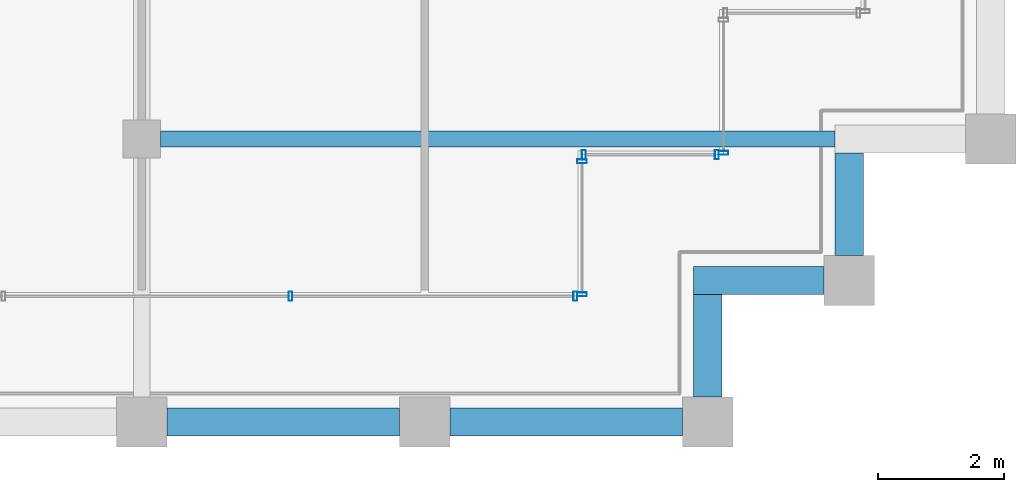
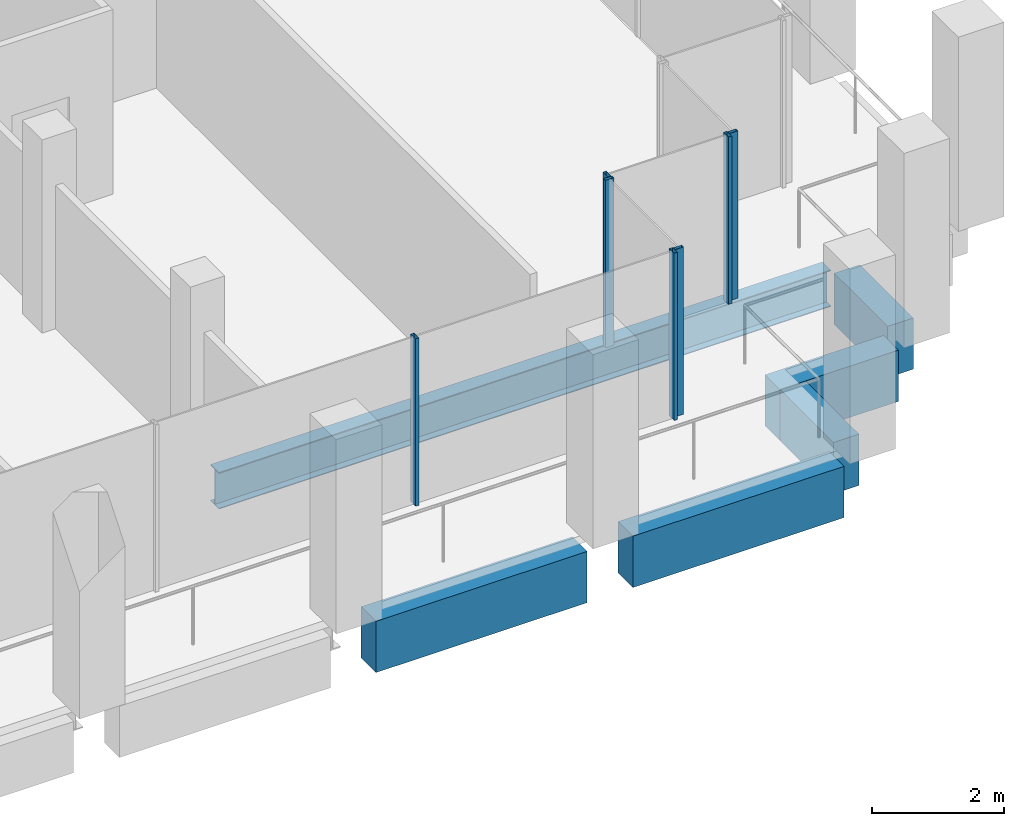
# One storey, part 12 of 30: 7 members, 6 beams, 4 elements without a shape of their own.
"""IFC4 building model written with IfcOpenShell, lengths in metres."""

import ifcopenshell
import ifcopenshell.guid

model = None  # the IFC model being written
_history = None  # IfcOwnerHistory: only IFC2X3 demands one
_inside = {}  # id of a spatial element -> (the spatial element, [elements in it])
_under = {}  # id of a project, library or spatial element -> (it, [spatial elements below it])
_declared = {}  # id of a project -> (the project, [libraries it declares])
_typed = {}  # id of a type object -> (the type object, [elements of that type])
_made_of = {}  # id of a material, layer set ... -> (it, [elements and type objects made of it])


def new_model(schema):
    """Start an empty IFC model of exactly this schema.

    Asked for "IFC4X3", IfcOpenShell would pick the latest addendum, in which some entities
    have other attributes; the version numbers below select the first issue.
    IFC2X3 requires an IfcOwnerHistory on every rooted entity: one is made here for all.
    """
    global model, _history
    if schema == "IFC4X3":
        model = ifcopenshell.file(schema_version=(4, 3, 0, 0))
    else:
        model = ifcopenshell.file(schema=schema)
    _inside.clear()
    _under.clear()
    _declared.clear()
    _typed.clear()
    _made_of.clear()
    _history = None
    if model.schema == "IFC2X3":
        org = make("IfcOrganization", Name="unknown")
        user = make(
            "IfcPersonAndOrganization",
            ThePerson=make("IfcPerson", FamilyName="unknown"),
            TheOrganization=org,
        )
        app = make(
            "IfcApplication",
            ApplicationDeveloper=org,
            Version="unknown",
            ApplicationFullName="unknown",
            ApplicationIdentifier="unknown",
        )
        _history = make(
            "IfcOwnerHistory",
            OwningUser=user,
            OwningApplication=app,
            ChangeAction="ADDED",
            CreationDate=0,
        )
    return model


def make(cls, **values):
    """One entity of the class cls with the attributes given. An attribute that is None is left unset."""
    return model.create_entity(
        cls, **{name: value for name, value in values.items() if value is not None}
    )


def rooted(cls, **values):
    """An entity with a GlobalId (a new one), such as an element, a storey or a relation."""
    return make(cls, GlobalId=ifcopenshell.guid.new(), OwnerHistory=_history, **values)


def si_unit(unit_type, name, prefix=None):
    """IfcSIUnit, for example si_unit("LENGTHUNIT", "METRE", prefix="MILLI")."""
    return make("IfcSIUnit", UnitType=unit_type, Prefix=prefix, Name=name)


def assignment(units):
    """IfcUnitAssignment: the units of a project."""
    return None if units is None else make("IfcUnitAssignment", Units=units)


def point(xyz):
    """IfcCartesianPoint."""
    return None if xyz is None else make("IfcCartesianPoint", Coordinates=xyz)


def direction(xyz):
    """IfcDirection."""
    return None if xyz is None else make("IfcDirection", DirectionRatios=xyz)


def frame(location, z_axis=None, x_axis=None):
    """IfcAxis2Placement3D, a coordinate frame: its origin and axes. An axis left out is left unset."""
    return make(
        "IfcAxis2Placement3D",
        Location=point(location),
        Axis=direction(z_axis),
        RefDirection=direction(x_axis),
    )


def frame_2d(location, x_axis=None):
    """IfcAxis2Placement2D, a coordinate frame in the plane: its origin and x axis."""
    return make(
        "IfcAxis2Placement2D", Location=point(location), RefDirection=direction(x_axis)
    )


def origin():
    """The frame at (0, 0, 0) with its axes left unset."""
    return frame((0.0, 0.0, 0.0))


def origin_2d():
    """The frame at (0, 0) in the plane with its x axis left unset."""
    return frame_2d((0.0, 0.0))


def place(relative_to, where):
    """IfcLocalPlacement: puts the frame where relative to a parent placement (None: the world)."""
    return make(
        "IfcLocalPlacement", PlacementRelTo=relative_to, RelativePlacement=where
    )


def context(
    kind, dimensions, precision=None, world=None, true_north=None, identifier=None
):
    """IfcGeometricRepresentationContext, for example the 3D "Model" context."""
    return make(
        "IfcGeometricRepresentationContext",
        ContextIdentifier=identifier,
        ContextType=kind,
        CoordinateSpaceDimension=dimensions,
        Precision=precision,
        WorldCoordinateSystem=world,
        TrueNorth=true_north,
    )


def subcontext(parent, identifier, kind, view, scale=None):
    """IfcGeometricRepresentationSubContext, for example "Body" below "Model"."""
    return make(
        "IfcGeometricRepresentationSubContext",
        ContextIdentifier=identifier,
        ContextType=kind,
        ParentContext=parent,
        TargetScale=scale,
        TargetView=view,
    )


def project(units=None, contexts=None):
    """IfcProject with its units and contexts."""
    return rooted(
        "IfcProject",
        Name="project",
        RepresentationContexts=contexts,
        UnitsInContext=assignment(units),
    )


def spatial(cls, under=None, at=None, **own):
    """A site, building, storey or space (cls), placed at a placement, below another one or the project."""
    s = rooted(cls, ObjectPlacement=at, **own)
    if under is not None:
        _under.setdefault(under.id(), (under, []))[1].append(s)
    return s


def profile(cls, at=None, kind="AREA", **sizes):
    """A parametric profile (cls). Its sizes go by their IFC names, for example OverallWidth=200.0."""
    return make(cls, ProfileType=kind, Position=at, **sizes)


def rectangle(**sizes):
    """IfcRectangleProfileDef."""
    return profile("IfcRectangleProfileDef", **sizes)


def hollow_rectangle(**sizes):
    """IfcRectangleHollowProfileDef."""
    return profile("IfcRectangleHollowProfileDef", **sizes)


def i_section(**sizes):
    """IfcIShapeProfileDef."""
    return profile("IfcIShapeProfileDef", **sizes)


def extrude(swept, where, along, depth):
    """IfcExtrudedAreaSolid: the profile swept, set in the frame where, extruded along a direction by depth."""
    return make(
        "IfcExtrudedAreaSolid",
        SweptArea=swept,
        Position=where,
        ExtrudedDirection=direction(along),
        Depth=depth,
    )


def shape(context_of_items, identifier, shape_type, items):
    """IfcShapeRepresentation: the items that make up one representation, for example the "Body"."""
    return make(
        "IfcShapeRepresentation",
        ContextOfItems=context_of_items,
        RepresentationIdentifier=identifier,
        RepresentationType=shape_type,
        Items=items,
    )


def material(Name=None, Category=None):
    """IfcMaterial."""
    return make("IfcMaterial", Name=Name, Category=Category)


def material_profile(
    of_material, cross_section, Name=None, Category=None, Priority=None
):
    """IfcMaterialProfile: a cross section and its material."""
    return make(
        "IfcMaterialProfile",
        Name=Name,
        Material=of_material,
        Profile=cross_section,
        Priority=Priority,
        Category=Category,
    )


def profile_set(profiles, Name=None, composite=None):
    """IfcMaterialProfileSet."""
    return make(
        "IfcMaterialProfileSet",
        Name=Name,
        MaterialProfiles=profiles,
        CompositeProfile=composite,
    )


def made_of(thing, what):
    """Note that an element or type object is made of a material, layer set ...; save() writes the relation."""
    if what is not None:
        _made_of.setdefault(what.id(), (what, []))[1].append(thing)
    return thing


def type_object(cls, material=None, **own):
    """A type object (cls), such as IfcWallType, which elements share."""
    return made_of(rooted(cls, **own), material)


def element(
    cls,
    number,
    at=None,
    inside=None,
    cuts=None,
    type_object=None,
    material=None,
    context=None,
    identifier="Body",
    shape_type=None,
    held_by="IfcProductDefinitionShape",
    body=None,
    shapes=None,
    **own,
):
    """One element of the class cls, such as IfcWall. Its Tag is "e" and its number.

    at: its placement. inside: the storey or other place that contains it. cuts: it is an
    opening in that element (IfcRelVoidsElement). A single representation is given by context,
    identifier, shape_type and body (its items); several are given by shapes. held_by: the class
    of the entity that holds the representations. save() writes the other relations.
    """
    e = rooted(cls, Tag="e%d" % number, ObjectPlacement=at, **own)
    if body is not None:
        shapes = [shape(context, identifier, shape_type, body)]
    if shapes is not None:
        e.Representation = make(held_by, Representations=shapes)
    if inside is not None:
        _inside.setdefault(inside.id(), (inside, []))[1].append(e)
    if cuts is not None:
        rooted(
            "IfcRelVoidsElement", RelatingBuildingElement=cuts, RelatedOpeningElement=e
        )
    if type_object is not None:
        _typed.setdefault(type_object.id(), (type_object, []))[1].append(e)
    return made_of(e, material)


def aggregate(whole, parts):
    """IfcRelAggregates: a whole, such as a stair, and the parts it consists of."""
    return rooted("IfcRelAggregates", RelatingObject=whole, RelatedObjects=parts)


def save(model, path):
    """Write the relations noted so far, then the file.

    IfcRelAggregates (storeys below a building ...), IfcRelContainedInSpatialStructure (elements
    in a storey), IfcRelDefinesByType, IfcRelAssociatesMaterial and IfcRelDeclares: one each for
    every whole, place, type object, material and project.
    """
    for whole, parts in _under.values():
        aggregate(whole, parts)
    for where, things in _inside.values():
        rooted(
            "IfcRelContainedInSpatialStructure",
            RelatedElements=things,
            RelatingStructure=where,
        )
    for kind, things in _typed.values():
        rooted("IfcRelDefinesByType", RelatedObjects=things, RelatingType=kind)
    for what, things in _made_of.values():
        rooted("IfcRelAssociatesMaterial", RelatedObjects=things, RelatingMaterial=what)
    for by, libraries in _declared.values():
        rooted("IfcRelDeclares", RelatingContext=by, RelatedDefinitions=libraries)
    model.write(path)


model = new_model("IFC4")

# Units and contexts
model_context = context("Model", 3, precision=1e-05, world=origin(), true_north=direction((0.0, 1.0)))
body_context = subcontext(model_context, "Body", "Model", "MODEL_VIEW")
ifc_project = project(units=[si_unit("LENGTHUNIT", "METRE"), si_unit("AREAUNIT", "SQUARE_METRE"), si_unit("VOLUMEUNIT", "CUBIC_METRE"), si_unit("PLANEANGLEUNIT", "RADIAN"), si_unit("MASSUNIT", "GRAM", prefix="KILO")], contexts=[model_context])

# Site, building, storey
site_placement = place(None, origin())
site = spatial("IfcSite", under=ifc_project, at=site_placement, CompositionType="ELEMENT")
building_placement = place(site_placement, origin())
building = spatial("IfcBuilding", under=site, at=building_placement, Name="Altepetl Exchange Towers", CompositionType="ELEMENT")
storey_placement = place(building_placement, frame((0.0, 0.0, 224.39990234375)))
storey = spatial("IfcBuildingStorey", under=building, at=storey_placement, Name="L57", CompositionType="ELEMENT", Elevation=224.39990234375)

# Beam
ifc_material_1 = material(Name="Steel S355", Category="steel")
ifc_material_profile_1 = material_profile(ifc_material_1, i_section(OverallWidth=0.2529296875, OverallDepth=0.677978515625, WebThickness=0.01171875, FlangeThickness=0.016357421875, at=origin_2d()), Name="W27X84")
ifc_profile_set_1 = profile_set([ifc_material_profile_1], Name="Steel S355")
beam_type_1 = type_object("IfcBeamType", Name="Floor beam W27X84", PredefinedType="BEAM", material=ifc_profile_set_1)
beam_1_placement = place(storey_placement, frame((58.800048828125, 31.5, -0.489013671875), z_axis=(1.0, 0.0, 0.0), x_axis=(0.0, 1.0, 0.0)))
element("IfcBeam", 1, at=beam_1_placement, inside=storey, type_object=beam_type_1, Name="bm:A:L57:006", PredefinedType="BEAM", context=body_context, shape_type="SweptSolid", body=[
    extrude(i_section(OverallWidth=0.2529296875, OverallDepth=0.677978515625, WebThickness=0.01171875, FlangeThickness=0.016357421875, at=origin_2d()), origin(), (0.0, 0.0, 1.0), 10.724853515625),
])

# Curtain wall, members
ifc_material_2 = material(Name="Aluminium 6063-T6 glazing", Category="aluminium")
curtain_wall_type = type_object("IfcCurtainWallType", Name="Loggia glazing system", PredefinedType="NOTDEFINED", material=ifc_material_2)
curtain_wall_1_placement = place(storey_placement, origin())
curtain_wall_1 = element("IfcCurtainWall", 2, at=curtain_wall_1_placement, inside=storey, type_object=curtain_wall_type, Name="CW1 run", PredefinedType="NOTDEFINED")
ifc_material_3 = material(Name="Aluminium 6063-T6", Category="aluminium")
ifc_material_profile_2 = material_profile(ifc_material_3, hollow_rectangle(XDim=0.06005859375, YDim=0.14990234375, WallThickness=0.0029296875, at=origin_2d()), Name="Mullion 60x150 aluminium")
ifc_profile_set_2 = profile_set([ifc_material_profile_2], Name="Aluminium 6063-T6")
member_type = type_object("IfcMemberType", Name="Mullion 60x150 aluminium", PredefinedType="MULLION", material=ifc_profile_set_2)
member_1_placement = place(storey_placement, frame((60.8642578125, 29.0, 0.0)))
member_1 = element("IfcMember", 3, at=member_1_placement, type_object=member_type, Name="MU1 mullion", PredefinedType="MULLION", context=body_context, shape_type="SweptSolid", body=[
    extrude(hollow_rectangle(XDim=0.06005859375, YDim=0.14990234375, WallThickness=0.0029296875, at=origin_2d()), origin(), (0.0, 0.0, 1.0), 3.10009765625),
])
member_2_placement = place(storey_placement, frame((65.39501953125, 29.0, 0.0)))
member_2 = element("IfcMember", 4, at=member_2_placement, type_object=member_type, Name="MU1 mullion", PredefinedType="MULLION", context=body_context, shape_type="SweptSolid", body=[
    extrude(hollow_rectangle(XDim=0.06005859375, YDim=0.14990234375, WallThickness=0.0029296875, at=origin_2d()), origin(), (0.0, 0.0, 1.0), 3.10009765625),
])
aggregate(curtain_wall_1, [member_1, member_2])

curtain_wall_2_placement = place(storey_placement, origin())
curtain_wall_2 = element("IfcCurtainWall", 5, at=curtain_wall_2_placement, inside=storey, type_object=curtain_wall_type, Name="CW1 run", PredefinedType="NOTDEFINED")
member_3_placement = place(storey_placement, frame((65.5, 29.030029296875, 0.0), z_axis=(0.0, 0.0, 1.0), x_axis=(0.0, 1.0, 0.0)))
member_3 = element("IfcMember", 6, at=member_3_placement, type_object=member_type, Name="MU1 mullion", PredefinedType="MULLION", context=body_context, shape_type="SweptSolid", body=[
    extrude(hollow_rectangle(XDim=0.06005859375, YDim=0.14990234375, WallThickness=0.0029296875, at=origin_2d()), origin(), (0.0, 0.0, 1.0), 3.10009765625),
])
member_4_placement = place(storey_placement, frame((65.5, 31.14501953125, 0.0), z_axis=(0.0, 0.0, 1.0), x_axis=(0.0, 1.0, 0.0)))
member_4 = element("IfcMember", 7, at=member_4_placement, type_object=member_type, Name="MU1 mullion", PredefinedType="MULLION", context=body_context, shape_type="SweptSolid", body=[
    extrude(hollow_rectangle(XDim=0.06005859375, YDim=0.14990234375, WallThickness=0.0029296875, at=origin_2d()), origin(), (0.0, 0.0, 1.0), 3.10009765625),
])
aggregate(curtain_wall_2, [member_3, member_4])

curtain_wall_3_placement = place(storey_placement, origin())
curtain_wall_3 = element("IfcCurtainWall", 8, at=curtain_wall_3_placement, inside=storey, type_object=curtain_wall_type, Name="CW1 run", PredefinedType="NOTDEFINED")
member_5_placement = place(storey_placement, frame((65.530029296875, 31.25, 0.0)))
member_5 = element("IfcMember", 9, at=member_5_placement, type_object=member_type, Name="MU1 mullion", PredefinedType="MULLION", context=body_context, shape_type="SweptSolid", body=[
    extrude(hollow_rectangle(XDim=0.06005859375, YDim=0.14990234375, WallThickness=0.0029296875, at=origin_2d()), origin(), (0.0, 0.0, 1.0), 3.10009765625),
])
member_6_placement = place(storey_placement, frame((67.64501953125, 31.25, 0.0)))
member_6 = element("IfcMember", 10, at=member_6_placement, type_object=member_type, Name="MU1 mullion", PredefinedType="MULLION", context=body_context, shape_type="SweptSolid", body=[
    extrude(hollow_rectangle(XDim=0.06005859375, YDim=0.14990234375, WallThickness=0.0029296875, at=origin_2d()), origin(), (0.0, 0.0, 1.0), 3.10009765625),
])
aggregate(curtain_wall_3, [member_5, member_6])

# Curtain wall, member
curtain_wall_4_placement = place(storey_placement, origin())
curtain_wall_4 = element("IfcCurtainWall", 11, at=curtain_wall_4_placement, inside=storey, type_object=curtain_wall_type, Name="CW1 run", PredefinedType="NOTDEFINED")
member_7_placement = place(storey_placement, frame((67.75, 31.280029296875, 0.0), z_axis=(0.0, 0.0, 1.0), x_axis=(0.0, 1.0, 0.0)))
member_7 = element("IfcMember", 12, at=member_7_placement, type_object=member_type, Name="MU1 mullion", PredefinedType="MULLION", context=body_context, shape_type="SweptSolid", body=[
    extrude(hollow_rectangle(XDim=0.06005859375, YDim=0.14990234375, WallThickness=0.0029296875, at=origin_2d()), origin(), (0.0, 0.0, 1.0), 3.10009765625),
])
aggregate(curtain_wall_4, [member_7])

# Beams
ifc_material_4 = material(Name="Concrete C50/60 precast with cantera amarilla facing", Category="concrete")
ifc_material_profile_3 = material_profile(ifc_material_4, rectangle(XDim=0.449951171875, YDim=0.949951171875, at=origin_2d()), Name="450 x 950")
ifc_profile_set_3 = profile_set([ifc_material_profile_3], Name="Concrete C50/60 precast with cantera amarilla facing")
beam_type_2 = type_object("IfcBeamType", Name="Spandrel beam 450x950 cantera amarilla", PredefinedType="SPANDREL", material=ifc_profile_set_3)
for number, where, z_axis, x_axis, name in (
    (13, (58.89990234375, 27.0, -0.625), (1.0, 0.0, 0.0), (0.0, 1.0, 0.0), "sp:A:L57:006"),
    (14, (63.39990234375, 27.0, -0.625), (1.0, 0.0, 0.0), (0.0, 1.0, 0.0), "sp:A:L57:007"),
):
    element("IfcBeam", number, at=place(storey_placement, frame(where, z_axis=z_axis, x_axis=x_axis)), inside=storey, type_object=beam_type_2, Name=name, PredefinedType="SPANDREL", context=body_context, shape_type="SweptSolid", body=[
        extrude(rectangle(XDim=0.449951171875, YDim=0.949951171875, at=origin_2d()), origin(), (0.0, 0.0, 1.0), 3.7001953125),
    ])
beam_2_placement = place(storey_placement, frame((67.5, 27.39990234375, -0.625), z_axis=(0.0, 1.0, 0.0), x_axis=(-1.0, 0.0, 0.0)))
element("IfcBeam", 15, at=beam_2_placement, inside=storey, type_object=beam_type_2, Name="sp:A:L57:008", PredefinedType="SPANDREL", context=body_context, shape_type="SweptSolid", body=[
    extrude(rectangle(XDim=0.449951171875, YDim=0.949951171875, at=origin_2d()), origin(), (0.0, 0.0, 1.0), 1.625),
])
beam_3_placement = place(storey_placement, frame((67.27490234375, 29.25, -0.625), z_axis=(1.0, 0.0, 0.0), x_axis=(0.0, 1.0, 0.0)))
element("IfcBeam", 16, at=beam_3_placement, inside=storey, type_object=beam_type_2, Name="sp:A:L57:009", PredefinedType="SPANDREL", context=body_context, shape_type="SweptSolid", body=[
    extrude(rectangle(XDim=0.449951171875, YDim=0.949951171875, at=origin_2d()), origin(), (0.0, 0.0, 1.0), 2.0751953125),
])
beam_4_placement = place(storey_placement, frame((69.75, 29.64990234375, -0.625), z_axis=(0.0, 1.0, 0.0), x_axis=(-1.0, 0.0, 0.0)))
element("IfcBeam", 17, at=beam_4_placement, inside=storey, type_object=beam_type_2, Name="sp:A:L57:010", PredefinedType="SPANDREL", context=body_context, shape_type="SweptSolid", body=[
    extrude(rectangle(XDim=0.449951171875, YDim=0.949951171875, at=origin_2d()), origin(), (0.0, 0.0, 1.0), 1.625),
])

save(model, "model.ifc")
